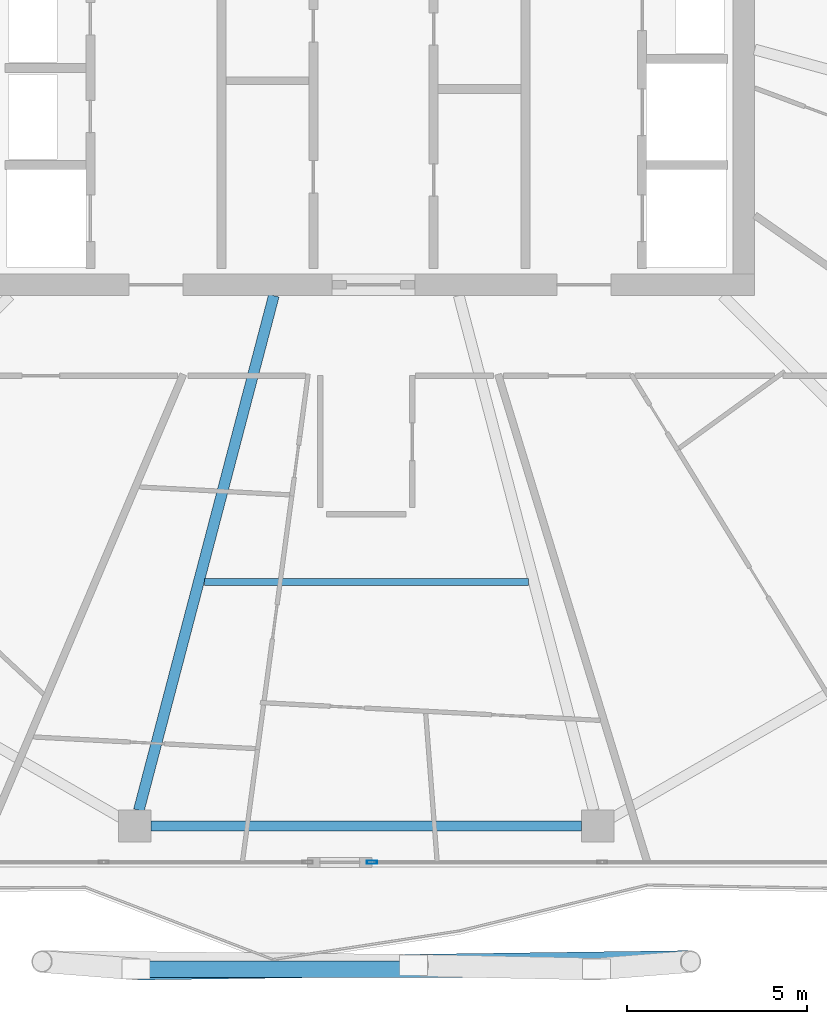
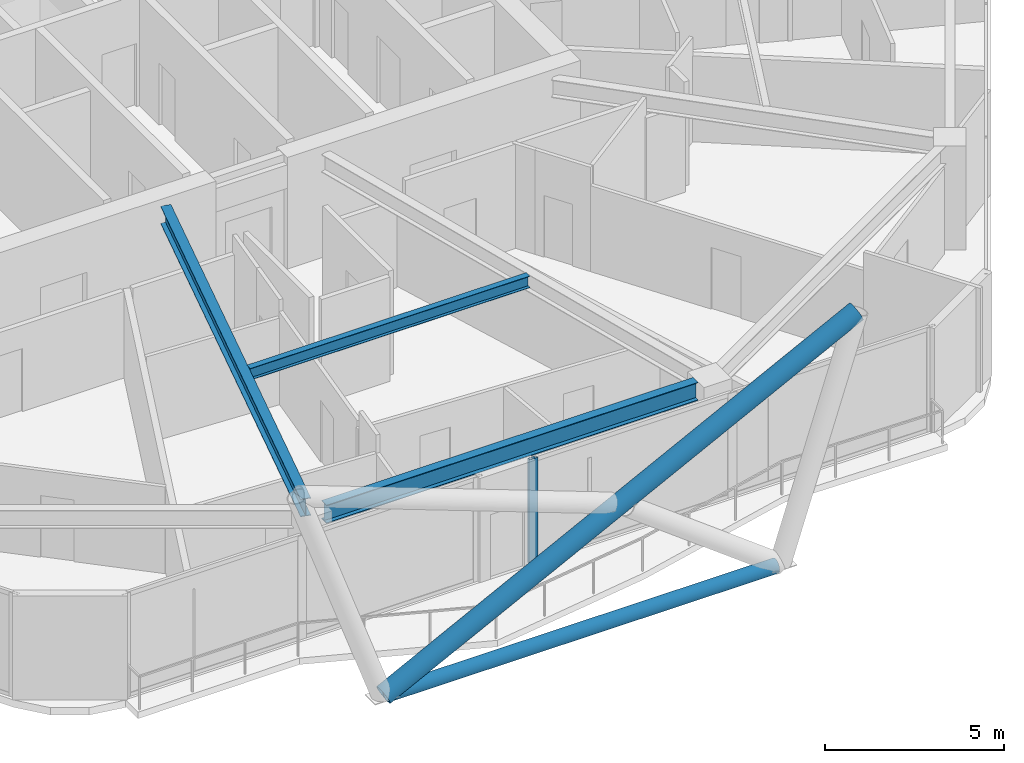
# One storey, part 4 of 28: 3 beams, 3 members, 1 element without a shape of its own.
"""IFC4 building model written with IfcOpenShell, lengths in metres."""

from ifc_helpers import new_model, si_unit, direction, frame, origin, origin_2d, place, context, subcontext, project, spatial, hollow_rectangle, hollow_circle, i_section, extrude, material, material_profile, profile_set, type_object, element, aggregate, save


model = new_model("IFC4")

# Units and contexts
model_context = context("Model", 3, precision=1e-05, world=origin(), true_north=direction((0.0, 1.0)))
body_context = subcontext(model_context, "Body", "Model", "MODEL_VIEW")
ifc_project = project(units=[si_unit("LENGTHUNIT", "METRE"), si_unit("AREAUNIT", "SQUARE_METRE"), si_unit("VOLUMEUNIT", "CUBIC_METRE"), si_unit("PLANEANGLEUNIT", "RADIAN"), si_unit("MASSUNIT", "GRAM", prefix="KILO")], contexts=[model_context])

# Site, building, storey
site_placement = place(None, origin())
site = spatial("IfcSite", under=ifc_project, at=site_placement, CompositionType="ELEMENT")
building_placement = place(site_placement, origin())
building = spatial("IfcBuilding", under=site, at=building_placement, Name="Zuhravey Tower", CompositionType="ELEMENT")
storey_placement = place(building_placement, frame((0.0, 0.0, 254.0)))
storey = spatial("IfcBuildingStorey", under=building, at=storey_placement, Name="L64", CompositionType="ELEMENT", Elevation=254.0)

# Curtain wall, member
ifc_material_1 = material(Name="Thermally broken anodised aluminium", Category="aluminium")
curtain_wall_type = type_object("IfcCurtainWallType", Name="Zone 3-4 High-Rise Curtain Wall CW4", PredefinedType="NOTDEFINED", material=ifc_material_1)
curtain_wall_placement = place(storey_placement, origin())
curtain_wall = element("IfcCurtainWall", 1, at=curtain_wall_placement, inside=storey, type_object=curtain_wall_type, Name="L64 CW4 CW-L64-F5-1", PredefinedType="NOTDEFINED")
ifc_material_2 = material(Name="Anodised aluminium", Category="aluminium")
ifc_material_profile_1 = material_profile(ifc_material_2, hollow_rectangle(XDim=0.090087890625, YDim=0.284912109375, WallThickness=0.0048828125, at=origin_2d()), Name="ALU-RHS-90x285x5")
ifc_profile_set_1 = profile_set([ifc_material_profile_1], Name="Anodised aluminium")
member_type_1 = type_object("IfcMemberType", Name="Curtain-Wall Mullion 90x180", PredefinedType="MULLION", material=ifc_profile_set_1)
member_1_placement = place(storey_placement, frame((36.1572265625, 6.436279296875, 0.0), z_axis=(0.0, 0.0, 1.0), x_axis=(0.0, -1.0, 0.0)))
member_1 = element("IfcMember", 2, at=member_1_placement, type_object=member_type_1, Name="CW4 mullion 3", PredefinedType="MULLION", context=body_context, shape_type="SweptSolid", body=[
    extrude(hollow_rectangle(XDim=0.090087890625, YDim=0.284912109375, WallThickness=0.0048828125, at=origin_2d()), origin(), (0.0, 0.0, 1.0), 3.550048828125),
])
aggregate(curtain_wall, [member_1])

# Members
ifc_material_3 = material(Name="Steel SM355", Category="steel")
ifc_material_profile_2 = material_profile(ifc_material_3, hollow_circle(Radius=0.228515625, WallThickness=0.02197265625, at=origin_2d()), Name="CHS-457.2x22")
ifc_profile_set_2 = profile_set([ifc_material_profile_2], Name="Steel SM355")
member_type_2 = type_object("IfcMemberType", Name="Exoskeleton Ring Tie CHS457x22", PredefinedType="CHORD", material=ifc_profile_set_2)
member_2_placement = place(storey_placement, frame((29.732421875, 3.46630859375, -0.464111328125), z_axis=(1.0, 0.0, 0.0), x_axis=(0.0, 1.0, 0.0)))
element("IfcMember", 3, at=member_2_placement, inside=storey, type_object=member_type_2, Name="L64 Exoskeleton Face 5 Tie EXR1", PredefinedType="CHORD", context=body_context, shape_type="SweptSolid", body=[
    extrude(hollow_circle(Radius=0.228515625, WallThickness=0.02197265625, at=origin_2d()), origin(), (0.0, 0.0, 1.0), 12.53515625),
])
ifc_material_profile_3 = material_profile(ifc_material_3, hollow_circle(Radius=0.3046875, WallThickness=0.028076171875, at=origin_2d()), Name="CHS-609.6x28")
ifc_profile_set_3 = profile_set([ifc_material_profile_3], Name="Steel SM355")
member_type_3 = type_object("IfcMemberType", Name="Exoskeleton Zone 3 Diagrid CHS610x28", PredefinedType="BRACE", material=ifc_profile_set_3)
member_3_placement = place(storey_placement, frame((29.62890625, 3.466796875, -0.446044921875), z_axis=(0.89709501006, 0.012202852876, 0.441669144618), x_axis=(-0.013601373254, 0.999907497044, 0.0)))
element("IfcMember", 4, at=member_3_placement, inside=storey, type_object=member_type_3, Name="L64 Face 5 Diagrid Brace 2", PredefinedType="BRACE", context=body_context, shape_type="SweptSolid", body=[
    extrude(hollow_circle(Radius=0.3046875, WallThickness=0.028076171875, at=origin_2d()), origin(), (0.0, 0.0, 1.0), 17.1259765625),
])

# Beams
ifc_material_profile_4 = material_profile(ifc_material_3, i_section(OverallWidth=0.280029296875, OverallDepth=0.6201171875, WebThickness=0.011962890625, FlangeThickness=0.02001953125, at=origin_2d()), Name="H-620x280x12x20")
ifc_profile_set_4 = profile_set([ifc_material_profile_4], Name="Steel SM355")
beam_type_1 = type_object("IfcBeamType", Name="Perimeter Ring Beam H620x280", PredefinedType="BEAM", material=ifc_profile_set_4)
beam_1_placement = place(storey_placement, frame((30.01220703125, 7.4462890625, 3.239990234375), z_axis=(1.0, 0.0, 0.0), x_axis=(0.0, 1.0, 0.0)))
element("IfcBeam", 5, at=beam_1_placement, inside=storey, type_object=beam_type_1, Name="L64 PB3 BM-L64-PB-09", PredefinedType="BEAM", context=body_context, shape_type="SweptSolid", body=[
    extrude(i_section(OverallWidth=0.280029296875, OverallDepth=0.6201171875, WebThickness=0.011962890625, FlangeThickness=0.02001953125, at=origin_2d()), origin(), (0.0, 0.0, 1.0), 11.9755859375),
])
ifc_material_profile_5 = material_profile(ifc_material_3, i_section(OverallWidth=0.300048828125, OverallDepth=0.60009765625, WebThickness=0.011962890625, FlangeThickness=0.02001953125, at=origin_2d()), Name="H-600x300x12x20")
ifc_profile_set_5 = profile_set([ifc_material_profile_5], Name="Steel SM355")
beam_type_2 = type_object("IfcBeamType", Name="Radial Primary Girder H600x300", PredefinedType="BEAM", material=ifc_profile_set_5)
beam_2_placement = place(storey_placement, frame((33.428466796875, 22.197021484375, 3.25), z_axis=(-0.253731415841, -0.967274712073, 0.0), x_axis=(0.967274712073, -0.253731415841, 0.0)))
element("IfcBeam", 6, at=beam_2_placement, inside=storey, type_object=beam_type_2, Name="L64 RG3 BM-L64-RAD-09", PredefinedType="BEAM", context=body_context, shape_type="SweptSolid", body=[
    extrude(i_section(OverallWidth=0.300048828125, OverallDepth=0.60009765625, WebThickness=0.011962890625, FlangeThickness=0.02001953125, at=origin_2d()), origin(), (0.0, 0.0, 1.0), 14.796630859375),
])
ifc_material_profile_6 = material_profile(ifc_material_3, i_section(OverallWidth=0.199951171875, OverallDepth=0.39990234375, WebThickness=0.008056640625, FlangeThickness=0.012939453125, at=origin_2d()), Name="H-400x200x8x13")
ifc_profile_set_6 = profile_set([ifc_material_profile_6], Name="Steel SM355")
beam_type_3 = type_object("IfcBeamType", Name="Secondary Floor Joist H400x200", PredefinedType="JOIST", material=ifc_profile_set_6)
beam_3_placement = place(storey_placement, frame((31.492919921875, 14.231689453125, 3.35009765625), z_axis=(1.0, 0.0, 0.0), x_axis=(0.0, 1.0, 0.0)))
element("IfcBeam", 7, at=beam_3_placement, inside=storey, type_object=beam_type_3, Name="L64 SJ2 BM-L64-SJ-09-1", PredefinedType="JOIST", context=body_context, shape_type="SweptSolid", body=[
    extrude(i_section(OverallWidth=0.199951171875, OverallDepth=0.39990234375, WebThickness=0.008056640625, FlangeThickness=0.012939453125, at=origin_2d()), origin(), (0.0, 0.0, 1.0), 9.01416015625),
])

save(model, "model.ifc")
